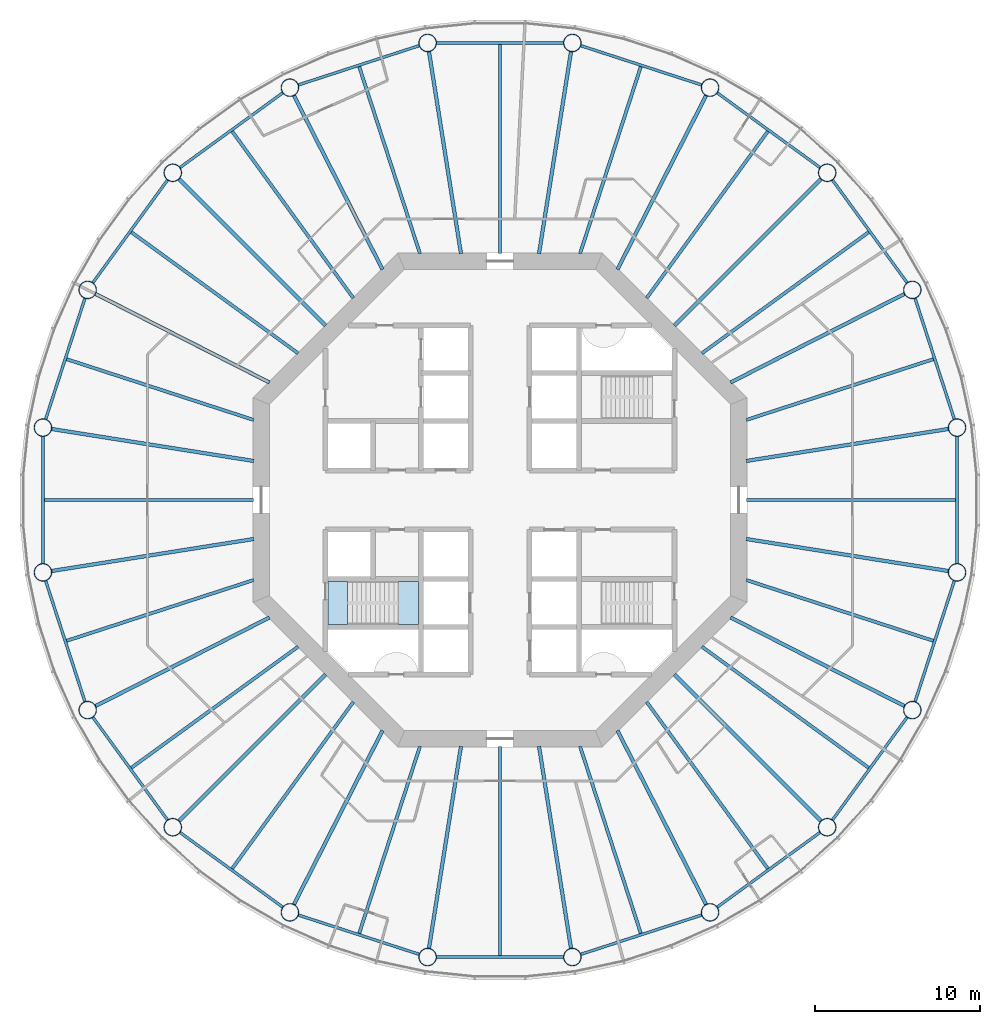
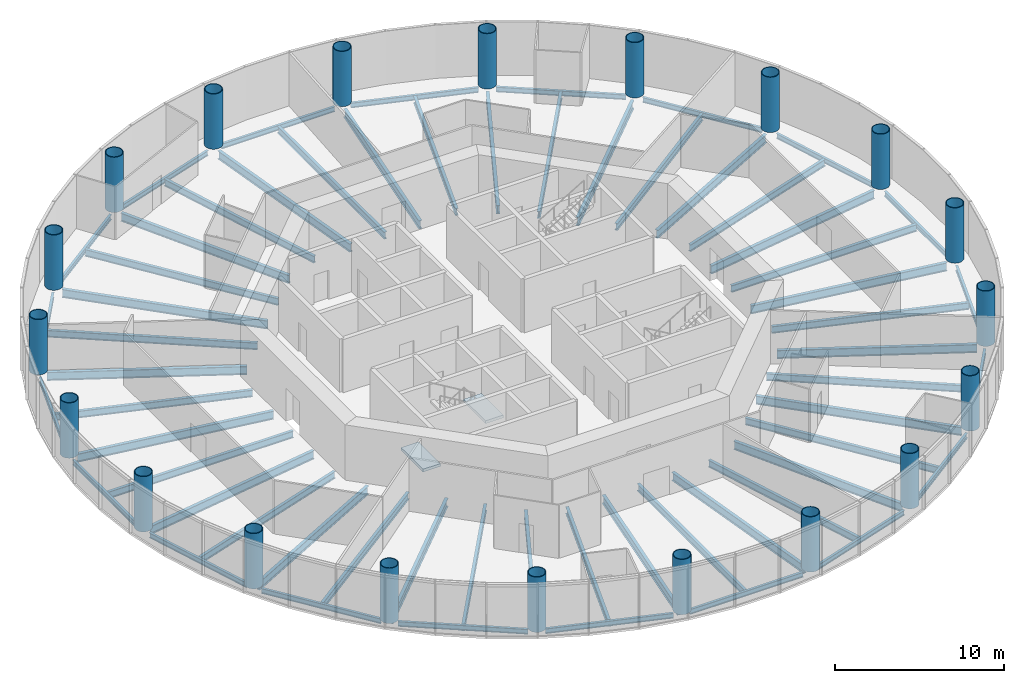
# One storey, part 1 of 13: 60 beams, 20 columns, 2 slabs, 1 element without a shape of its own.
"""IFC4 building model written with IfcOpenShell, lengths in metres."""

from ifc_helpers import new_model, si_unit, direction, frame, origin, origin_2d, place, context, subcontext, project, spatial, polyline, circle, hollow_circle, i_section, outline, extrude, material, layer, layer_set, material_profile, profile_set, type_object, element, aggregate, save


model = new_model("IFC4")

# Units and contexts
model_context = context("Model", 3, precision=1e-05, world=origin(), true_north=direction((0.0, 1.0)))
body_context = subcontext(model_context, "Body", "Model", "MODEL_VIEW")
ifc_project = project(units=[si_unit("LENGTHUNIT", "METRE"), si_unit("AREAUNIT", "SQUARE_METRE"), si_unit("VOLUMEUNIT", "CUBIC_METRE"), si_unit("PLANEANGLEUNIT", "RADIAN"), si_unit("MASSUNIT", "GRAM", prefix="KILO")], contexts=[model_context])

# Site, building, storey
site_placement = place(None, origin())
site = spatial("IfcSite", under=ifc_project, at=site_placement, CompositionType="ELEMENT")
building_placement = place(site_placement, origin())
building = spatial("IfcBuilding", under=site, at=building_placement, Name="Entoto Ring Tower", CompositionType="ELEMENT")
storey_placement = place(building_placement, frame((0.0, 0.0, 172.0)))
storey = spatial("IfcBuildingStorey", under=building, at=storey_placement, Name="L39", CompositionType="ELEMENT", Elevation=172.0)

# Columns
ifc_material_1 = material(Name="Steel S355", Category="steel")
ifc_material_profile_1 = material_profile(ifc_material_1, hollow_circle(Radius=0.550048828125, WallThickness=0.050048828125, at=origin_2d()), Name="CHS 1100 x 50")
ifc_material_2 = material(Name="Concrete C60/75", Category="concrete")
ifc_material_profile_2 = material_profile(ifc_material_2, circle(Radius=0.5, at=origin_2d()), Name="Concrete C60/75 infill")
ifc_profile_set_1 = profile_set([ifc_material_profile_1, ifc_material_profile_2], Name="Steel S355")
column_type = type_object("IfcColumnType", Name="Ring column 1100 x 50 concrete-filled tube", PredefinedType="COLUMN", material=ifc_profile_set_1)
for number, where, z_axis, x_axis, name in (
    (1, (117.754150390625, 84.395751953125, 0.0), (0.0, 0.0, 1.0), (1.0, 0.0, 0.0), "RC3 R01"),
    (2, (115.037353515625, 92.757080078125, 0.0), (0.0, 0.0, 1.0), (1.0, 0.0, 0.0), "RC3 R02"),
    (3, (109.86962890625, 99.86962890625, 0.0), (0.0, 0.0, 1.0), (1.0, 0.0, 0.0), "RC3 R03"),
    (4, (102.757080078125, 105.037353515625, 0.0), (0.0, 0.0, 1.0), (1.0, 0.0, 0.0), "RC3 R04"),
    (5, (94.395751953125, 107.754150390625, 0.0), (0.0, 0.0, 1.0), (1.0, 0.0, 0.0), "RC3 R05"),
    (6, (85.604248046875, 107.754150390625, 0.0), (0.0, 0.0, 1.0), (1.0, 0.0, 0.0), "RC3 R06"),
    (7, (77.242919921875, 105.037353515625, 0.0), (0.0, 0.0, 1.0), (1.0, 0.0, 0.0), "RC3 R07"),
    (8, (70.13037109375, 99.86962890625, 0.0), (0.0, 0.0, 1.0), (1.0, 0.0, 0.0), "RC3 R08"),
    (9, (64.962646484375, 92.757080078125, 0.0), (0.0, 0.0, 1.0), (1.0, 0.0, 0.0), "RC3 R09"),
    (10, (62.245849609375, 84.395751953125, 0.0), (0.0, 0.0, 1.0), (1.0, 0.0, 0.0), "RC3 R10"),
    (11, (62.245849609375, 75.604248046875, 0.0), (0.0, 0.0, 1.0), (1.0, 0.0, 0.0), "RC3 R11"),
    (12, (64.962646484375, 67.242919921875, 0.0), (0.0, 0.0, 1.0), (1.0, 0.0, 0.0), "RC3 R12"),
    (13, (70.13037109375, 60.13037109375, 0.0), (0.0, 0.0, 1.0), (1.0, 0.0, 0.0), "RC3 R13"),
    (14, (77.242919921875, 54.962646484375, 0.0), (0.0, 0.0, 1.0), (1.0, 0.0, 0.0), "RC3 R14"),
    (15, (85.604248046875, 52.245849609375, 0.0), (0.0, 0.0, 1.0), (1.0, 0.0, 0.0), "RC3 R15"),
    (16, (94.395751953125, 52.245849609375, 0.0), (0.0, 0.0, 1.0), (1.0, 0.0, 0.0), "RC3 R16"),
    (17, (102.757080078125, 54.962646484375, 0.0), (0.0, 0.0, 1.0), (1.0, 0.0, 0.0), "RC3 R17"),
    (18, (109.86962890625, 60.13037109375, 0.0), (0.0, 0.0, 1.0), (1.0, 0.0, 0.0), "RC3 R18"),
    (19, (115.037353515625, 67.242919921875, 0.0), (0.0, 0.0, 1.0), (1.0, 0.0, 0.0), "RC3 R19"),
    (20, (117.754150390625, 75.604248046875, 0.0), (0.0, 0.0, 1.0), (1.0, 0.0, 0.0), "RC3 R20"),
):
    element("IfcColumn", number, at=place(storey_placement, frame(where, z_axis=z_axis, x_axis=x_axis)), inside=storey, type_object=column_type, Name=name, PredefinedType="COLUMN", context=body_context, shape_type="SweptSolid", body=[
        extrude(hollow_circle(Radius=0.550048828125, WallThickness=0.050048828125, at=origin_2d()), origin(), (0.0, 0.0, 1.0), 4.0),
    ])

# Beams
ifc_material_3 = material(Name="Steel S355", Category="steel")
ifc_material_profile_3 = material_profile(ifc_material_3, i_section(OverallWidth=0.169921875, OverallDepth=0.360107421875, WebThickness=0.008056640625, FlangeThickness=0.0126953125, FilletRadius=0.01806640625, at=origin_2d()), Name="IPE 360")
ifc_profile_set_2 = profile_set([ifc_material_profile_3], Name="Steel S355")
beam_type_1 = type_object("IfcBeamType", Name="Edge beam IPE 360", PredefinedType="SPANDREL", material=ifc_profile_set_2)
for number, where, z_axis, x_axis, name in (
    (21, (117.59228515625, 84.8935546875, -0.330078125), (-0.309012656105, 0.951057925874, 0.0), (-0.951057925874, -0.309012656105, 0.0), "Edge beam L39 01"),
    (22, (114.729736328125, 93.180419921875, -0.330078125), (-0.587791153253, 0.809012707043, 0.0), (-0.809012707043, -0.587791153253, 0.0), "Edge beam L39 02"),
    (23, (109.4462890625, 100.17724609375, -0.330078125), (-0.809012707043, 0.587791153253, 0.0), (-0.587791153253, -0.809012707043, 0.0), "Edge beam L39 03"),
    (24, (102.259521484375, 105.198974609375, -0.330078125), (-0.951057925874, 0.309012656105, 0.0), (-0.309012656105, -0.951057925874, 0.0), "Edge beam L39 04"),
    (25, (93.87255859375, 107.754150390625, -0.330078125), (-1.0, 0.0, 0.0), (0.0, -1.0, 0.0), "Edge beam L39 05"),
    (26, (85.1064453125, 107.59228515625, -0.330078125), (-0.951057925874, -0.309012656105, 0.0), (0.309012656105, -0.951057925874, 0.0), "Edge beam L39 06"),
    (27, (76.819580078125, 104.729736328125, -0.330078125), (-0.809012707043, -0.587791153253, 0.0), (0.587791153253, -0.809012707043, 0.0), "Edge beam L39 07"),
    (28, (69.82275390625, 99.4462890625, -0.330078125), (-0.587791153253, -0.809012707043, 0.0), (0.809012707043, -0.587791153253, 0.0), "Edge beam L39 08"),
    (29, (64.801025390625, 92.259521484375, -0.330078125), (-0.309012656105, -0.951057925874, 0.0), (0.951057925874, -0.309012656105, 0.0), "Edge beam L39 09"),
    (30, (62.245849609375, 83.87255859375, -0.330078125), (0.0, -1.0, 0.0), (1.0, 0.0, 0.0), "Edge beam L39 10"),
    (31, (62.40771484375, 75.1064453125, -0.330078125), (0.309012656105, -0.951057925874, 0.0), (0.951057925874, 0.309012656105, 0.0), "Edge beam L39 11"),
    (32, (65.270263671875, 66.819580078125, -0.330078125), (0.587791153253, -0.809012707043, 0.0), (0.809012707043, 0.587791153253, 0.0), "Edge beam L39 12"),
    (33, (70.5537109375, 59.82275390625, -0.330078125), (0.809012707043, -0.587791153253, 0.0), (0.587791153253, 0.809012707043, 0.0), "Edge beam L39 13"),
    (34, (77.740478515625, 54.801025390625, -0.330078125), (0.951057925874, -0.309012656105, 0.0), (0.309012656105, 0.951057925874, 0.0), "Edge beam L39 14"),
    (35, (86.12744140625, 52.245849609375, -0.330078125), (1.0, 0.0, 0.0), (0.0, 1.0, 0.0), "Edge beam L39 15"),
    (36, (94.8935546875, 52.40771484375, -0.330078125), (0.951057925874, 0.309012656105, 0.0), (-0.309012656105, 0.951057925874, 0.0), "Edge beam L39 16"),
    (37, (103.180419921875, 55.270263671875, -0.330078125), (0.809012707043, 0.587791153253, 0.0), (-0.587791153253, 0.809012707043, 0.0), "Edge beam L39 17"),
    (38, (110.17724609375, 60.5537109375, -0.330078125), (0.587791153253, 0.809012707043, 0.0), (-0.809012707043, 0.587791153253, 0.0), "Edge beam L39 18"),
    (39, (115.198974609375, 67.740478515625, -0.330078125), (0.309012656105, 0.951057925874, 0.0), (-0.951057925874, 0.309012656105, 0.0), "Edge beam L39 19"),
    (40, (117.754150390625, 76.12744140625, -0.330078125), (0.0, 1.0, 0.0), (-1.0, 0.0, 0.0), "Edge beam L39 20"),
):
    element("IfcBeam", number, at=place(storey_placement, frame(where, z_axis=z_axis, x_axis=x_axis)), inside=storey, type_object=beam_type_1, Name=name, PredefinedType="SPANDREL", context=body_context, shape_type="SweptSolid", body=[
        extrude(i_section(OverallWidth=0.169921875, OverallDepth=0.360107421875, WebThickness=0.008056640625, FlangeThickness=0.0126953125, FilletRadius=0.01806640625, at=origin_2d()), origin(), (0.0, 0.0, 1.0), 7.7451171875),
    ])
ifc_material_4 = material(Name="Steel S355", Category="steel")
ifc_material_profile_4 = material_profile(ifc_material_4, i_section(OverallWidth=0.219970703125, OverallDepth=0.60009765625, WebThickness=0.011962890625, FlangeThickness=0.01904296875, FilletRadius=0.02392578125, at=origin_2d()), Name="IPE 600")
ifc_profile_set_3 = profile_set([ifc_material_profile_4], Name="Steel S355")
beam_type_2 = type_object("IfcBeamType", Name="Primary floor beam IPE 600", PredefinedType="BEAM", material=ifc_profile_set_3)
beam_1_placement = place(storey_placement, frame((104.963134765625, 82.369873046875, -0.449951171875), z_axis=(0.987687213789, 0.156441579247, 0.0), x_axis=(-0.156441579247, 0.987687213789, 0.0)))
element("IfcBeam", 41, at=beam_1_placement, inside=storey, type_object=beam_type_2, Name="Primary L39 R01", PredefinedType="BEAM", context=body_context, shape_type="SweptSolid", body=[
    extrude(i_section(OverallWidth=0.219970703125, OverallDepth=0.60009765625, WebThickness=0.011962890625, FlangeThickness=0.01904296875, FilletRadius=0.02392578125, at=origin_2d()), origin(), (0.0, 0.0, 1.0), 12.431640625),
])
beam_2_placement = place(storey_placement, frame((104.003173828125, 87.135009765625, -0.449951171875), z_axis=(0.891010444609, 0.453982805399, 0.0), x_axis=(-0.453982805399, 0.891010444609, 0.0)))
element("IfcBeam", 42, at=beam_2_placement, inside=storey, type_object=beam_type_2, Name="Primary L39 R02", PredefinedType="BEAM", context=body_context, shape_type="SweptSolid", body=[
    extrude(i_section(OverallWidth=0.219970703125, OverallDepth=0.60009765625, WebThickness=0.011962890625, FlangeThickness=0.01904296875, FilletRadius=0.02392578125, at=origin_2d()), origin(), (0.0, 0.0, 1.0), 11.864990234375),
])
beam_3_placement = place(storey_placement, frame((100.592529296875, 90.592529296875, -0.449951171875), z_axis=(0.707106781187, 0.707106781187, 0.0), x_axis=(-0.707106781187, 0.707106781187, 0.0)))
element("IfcBeam", 43, at=beam_3_placement, inside=storey, type_object=beam_type_2, Name="Primary L39 R03", PredefinedType="BEAM", context=body_context, shape_type="SweptSolid", body=[
    extrude(i_section(OverallWidth=0.219970703125, OverallDepth=0.60009765625, WebThickness=0.011962890625, FlangeThickness=0.01904296875, FilletRadius=0.02392578125, at=origin_2d()), origin(), (0.0, 0.0, 1.0), 12.601318359375),
])
beam_4_placement = place(storey_placement, frame((97.135009765625, 94.003173828125, -0.449951171875), z_axis=(0.453982805399, 0.891010444609, 0.0), x_axis=(-0.891010444609, 0.453982805399, 0.0)))
element("IfcBeam", 44, at=beam_4_placement, inside=storey, type_object=beam_type_2, Name="Primary L39 R04", PredefinedType="BEAM", context=body_context, shape_type="SweptSolid", body=[
    extrude(i_section(OverallWidth=0.219970703125, OverallDepth=0.60009765625, WebThickness=0.011962890625, FlangeThickness=0.01904296875, FilletRadius=0.02392578125, at=origin_2d()), origin(), (0.0, 0.0, 1.0), 11.864990234375),
])
for number, where, z_axis, x_axis, name in (
    (45, (92.369873046875, 94.963134765625, -0.449951171875), (0.156441579247, 0.987687213789, 0.0), (-0.987687213789, 0.156441579247, 0.0), "Primary L39 R05"),
    (46, (87.630126953125, 94.963134765625, -0.449951171875), (-0.156441579247, 0.987687213789, 0.0), (-0.987687213789, -0.156441579247, 0.0), "Primary L39 R06"),
):
    element("IfcBeam", number, at=place(storey_placement, frame(where, z_axis=z_axis, x_axis=x_axis)), inside=storey, type_object=beam_type_2, Name=name, PredefinedType="BEAM", context=body_context, shape_type="SweptSolid", body=[
        extrude(i_section(OverallWidth=0.219970703125, OverallDepth=0.60009765625, WebThickness=0.011962890625, FlangeThickness=0.01904296875, FilletRadius=0.02392578125, at=origin_2d()), origin(), (0.0, 0.0, 1.0), 12.431640625),
    ])
beam_5_placement = place(storey_placement, frame((82.864990234375, 94.003173828125, -0.449951171875), z_axis=(-0.453982805399, 0.891010444609, 0.0), x_axis=(-0.891010444609, -0.453982805399, 0.0)))
element("IfcBeam", 47, at=beam_5_placement, inside=storey, type_object=beam_type_2, Name="Primary L39 R07", PredefinedType="BEAM", context=body_context, shape_type="SweptSolid", body=[
    extrude(i_section(OverallWidth=0.219970703125, OverallDepth=0.60009765625, WebThickness=0.011962890625, FlangeThickness=0.01904296875, FilletRadius=0.02392578125, at=origin_2d()), origin(), (0.0, 0.0, 1.0), 11.864990234375),
])
beam_6_placement = place(storey_placement, frame((79.407470703125, 90.592529296875, -0.449951171875), z_axis=(-0.707106781187, 0.707106781187, 0.0), x_axis=(-0.707106781187, -0.707106781187, 0.0)))
element("IfcBeam", 48, at=beam_6_placement, inside=storey, type_object=beam_type_2, Name="Primary L39 R08", PredefinedType="BEAM", context=body_context, shape_type="SweptSolid", body=[
    extrude(i_section(OverallWidth=0.219970703125, OverallDepth=0.60009765625, WebThickness=0.011962890625, FlangeThickness=0.01904296875, FilletRadius=0.02392578125, at=origin_2d()), origin(), (0.0, 0.0, 1.0), 12.601318359375),
])
beam_7_placement = place(storey_placement, frame((75.996826171875, 87.135009765625, -0.449951171875), z_axis=(-0.891010444609, 0.453982805399, 0.0), x_axis=(-0.453982805399, -0.891010444609, 0.0)))
element("IfcBeam", 49, at=beam_7_placement, inside=storey, type_object=beam_type_2, Name="Primary L39 R09", PredefinedType="BEAM", context=body_context, shape_type="SweptSolid", body=[
    extrude(i_section(OverallWidth=0.219970703125, OverallDepth=0.60009765625, WebThickness=0.011962890625, FlangeThickness=0.01904296875, FilletRadius=0.02392578125, at=origin_2d()), origin(), (0.0, 0.0, 1.0), 11.864990234375),
])
for number, where, z_axis, x_axis, name in (
    (50, (75.036865234375, 82.369873046875, -0.449951171875), (-0.987687213789, 0.156441579247, 0.0), (-0.156441579247, -0.987687213789, 0.0), "Primary L39 R10"),
    (51, (75.036865234375, 77.630126953125, -0.449951171875), (-0.987687213789, -0.156441579247, 0.0), (0.156441579247, -0.987687213789, 0.0), "Primary L39 R11"),
):
    element("IfcBeam", number, at=place(storey_placement, frame(where, z_axis=z_axis, x_axis=x_axis)), inside=storey, type_object=beam_type_2, Name=name, PredefinedType="BEAM", context=body_context, shape_type="SweptSolid", body=[
        extrude(i_section(OverallWidth=0.219970703125, OverallDepth=0.60009765625, WebThickness=0.011962890625, FlangeThickness=0.01904296875, FilletRadius=0.02392578125, at=origin_2d()), origin(), (0.0, 0.0, 1.0), 12.431640625),
    ])
beam_8_placement = place(storey_placement, frame((75.996826171875, 72.864990234375, -0.449951171875), z_axis=(-0.891010444609, -0.453982805399, 0.0), x_axis=(0.453982805399, -0.891010444609, 0.0)))
element("IfcBeam", 52, at=beam_8_placement, inside=storey, type_object=beam_type_2, Name="Primary L39 R12", PredefinedType="BEAM", context=body_context, shape_type="SweptSolid", body=[
    extrude(i_section(OverallWidth=0.219970703125, OverallDepth=0.60009765625, WebThickness=0.011962890625, FlangeThickness=0.01904296875, FilletRadius=0.02392578125, at=origin_2d()), origin(), (0.0, 0.0, 1.0), 11.864990234375),
])
beam_9_placement = place(storey_placement, frame((79.407470703125, 69.407470703125, -0.449951171875), z_axis=(-0.707106781187, -0.707106781187, 0.0), x_axis=(0.707106781187, -0.707106781187, 0.0)))
element("IfcBeam", 53, at=beam_9_placement, inside=storey, type_object=beam_type_2, Name="Primary L39 R13", PredefinedType="BEAM", context=body_context, shape_type="SweptSolid", body=[
    extrude(i_section(OverallWidth=0.219970703125, OverallDepth=0.60009765625, WebThickness=0.011962890625, FlangeThickness=0.01904296875, FilletRadius=0.02392578125, at=origin_2d()), origin(), (0.0, 0.0, 1.0), 12.601318359375),
])
beam_10_placement = place(storey_placement, frame((82.864990234375, 65.996826171875, -0.449951171875), z_axis=(-0.453982805399, -0.891010444609, 0.0), x_axis=(0.891010444609, -0.453982805399, 0.0)))
element("IfcBeam", 54, at=beam_10_placement, inside=storey, type_object=beam_type_2, Name="Primary L39 R14", PredefinedType="BEAM", context=body_context, shape_type="SweptSolid", body=[
    extrude(i_section(OverallWidth=0.219970703125, OverallDepth=0.60009765625, WebThickness=0.011962890625, FlangeThickness=0.01904296875, FilletRadius=0.02392578125, at=origin_2d()), origin(), (0.0, 0.0, 1.0), 11.864990234375),
])
for number, where, z_axis, x_axis, name in (
    (55, (87.630126953125, 65.036865234375, -0.449951171875), (-0.156441579247, -0.987687213789, 0.0), (0.987687213789, -0.156441579247, 0.0), "Primary L39 R15"),
    (56, (92.369873046875, 65.036865234375, -0.449951171875), (0.156441579247, -0.987687213789, 0.0), (0.987687213789, 0.156441579247, 0.0), "Primary L39 R16"),
):
    element("IfcBeam", number, at=place(storey_placement, frame(where, z_axis=z_axis, x_axis=x_axis)), inside=storey, type_object=beam_type_2, Name=name, PredefinedType="BEAM", context=body_context, shape_type="SweptSolid", body=[
        extrude(i_section(OverallWidth=0.219970703125, OverallDepth=0.60009765625, WebThickness=0.011962890625, FlangeThickness=0.01904296875, FilletRadius=0.02392578125, at=origin_2d()), origin(), (0.0, 0.0, 1.0), 12.431640625),
    ])
beam_11_placement = place(storey_placement, frame((97.135009765625, 65.996826171875, -0.449951171875), z_axis=(0.453982805399, -0.891010444609, 0.0), x_axis=(0.891010444609, 0.453982805399, 0.0)))
element("IfcBeam", 57, at=beam_11_placement, inside=storey, type_object=beam_type_2, Name="Primary L39 R17", PredefinedType="BEAM", context=body_context, shape_type="SweptSolid", body=[
    extrude(i_section(OverallWidth=0.219970703125, OverallDepth=0.60009765625, WebThickness=0.011962890625, FlangeThickness=0.01904296875, FilletRadius=0.02392578125, at=origin_2d()), origin(), (0.0, 0.0, 1.0), 11.864990234375),
])
beam_12_placement = place(storey_placement, frame((100.592529296875, 69.407470703125, -0.449951171875), z_axis=(0.707106781187, -0.707106781187, 0.0), x_axis=(0.707106781187, 0.707106781187, 0.0)))
element("IfcBeam", 58, at=beam_12_placement, inside=storey, type_object=beam_type_2, Name="Primary L39 R18", PredefinedType="BEAM", context=body_context, shape_type="SweptSolid", body=[
    extrude(i_section(OverallWidth=0.219970703125, OverallDepth=0.60009765625, WebThickness=0.011962890625, FlangeThickness=0.01904296875, FilletRadius=0.02392578125, at=origin_2d()), origin(), (0.0, 0.0, 1.0), 12.601318359375),
])
beam_13_placement = place(storey_placement, frame((104.003173828125, 72.864990234375, -0.449951171875), z_axis=(0.891010444609, -0.453982805399, 0.0), x_axis=(0.453982805399, 0.891010444609, 0.0)))
element("IfcBeam", 59, at=beam_13_placement, inside=storey, type_object=beam_type_2, Name="Primary L39 R19", PredefinedType="BEAM", context=body_context, shape_type="SweptSolid", body=[
    extrude(i_section(OverallWidth=0.219970703125, OverallDepth=0.60009765625, WebThickness=0.011962890625, FlangeThickness=0.01904296875, FilletRadius=0.02392578125, at=origin_2d()), origin(), (0.0, 0.0, 1.0), 11.864990234375),
])
beam_14_placement = place(storey_placement, frame((104.963134765625, 77.630126953125, -0.449951171875), z_axis=(0.987687213789, -0.156441579247, 0.0), x_axis=(0.156441579247, 0.987687213789, 0.0)))
element("IfcBeam", 60, at=beam_14_placement, inside=storey, type_object=beam_type_2, Name="Primary L39 R20", PredefinedType="BEAM", context=body_context, shape_type="SweptSolid", body=[
    extrude(i_section(OverallWidth=0.219970703125, OverallDepth=0.60009765625, WebThickness=0.011962890625, FlangeThickness=0.01904296875, FilletRadius=0.02392578125, at=origin_2d()), origin(), (0.0, 0.0, 1.0), 12.431640625),
])
ifc_material_5 = material(Name="Steel S355", Category="steel")
ifc_material_profile_5 = material_profile(ifc_material_5, i_section(OverallWidth=0.199951171875, OverallDepth=0.5, WebThickness=0.01025390625, FlangeThickness=0.01611328125, FilletRadius=0.02099609375, at=origin_2d()), Name="IPE 500")
ifc_profile_set_4 = profile_set([ifc_material_profile_5], Name="Steel S355")
beam_type_3 = type_object("IfcBeamType", Name="Secondary floor beam IPE 500", PredefinedType="JOIST", material=ifc_profile_set_4)
beam_15_placement = place(storey_placement, frame((104.9501953125, 84.857666015625, -0.39990234375), z_axis=(0.951056587506, 0.30901677521, 0.0), x_axis=(-0.30901677521, 0.951056587506, 0.0)))
element("IfcBeam", 61, at=beam_15_placement, inside=storey, type_object=beam_type_3, Name="Secondary beam L39 01", PredefinedType="JOIST", context=body_context, shape_type="SweptSolid", body=[
    extrude(i_section(OverallWidth=0.199951171875, OverallDepth=0.5, WebThickness=0.01025390625, FlangeThickness=0.01611328125, FilletRadius=0.02099609375, at=origin_2d()), origin(), (0.0, 0.0, 1.0), 11.94970703125),
])
for number, where, z_axis, x_axis, name in (
    (62, (102.257568359375, 88.905517578125, -0.39990234375), (0.80901431041, 0.587788946436, 0.0), (-0.587788946436, 0.80901431041, 0.0), "Secondary beam L39 02"),
    (63, (98.905517578125, 92.257568359375, -0.39990234375), (0.587788946436, 0.80901431041, 0.0), (-0.80901431041, 0.587788946436, 0.0), "Secondary beam L39 03"),
):
    element("IfcBeam", number, at=place(storey_placement, frame(where, z_axis=z_axis, x_axis=x_axis)), inside=storey, type_object=beam_type_3, Name=name, PredefinedType="JOIST", context=body_context, shape_type="SweptSolid", body=[
        extrude(i_section(OverallWidth=0.199951171875, OverallDepth=0.5, WebThickness=0.01025390625, FlangeThickness=0.01611328125, FilletRadius=0.02099609375, at=origin_2d()), origin(), (0.0, 0.0, 1.0), 12.51806640625),
    ])
beam_16_placement = place(storey_placement, frame((94.857666015625, 94.9501953125, -0.39990234375), z_axis=(0.30901677521, 0.951056587506, 0.0), x_axis=(-0.951056587506, 0.30901677521, 0.0)))
element("IfcBeam", 64, at=beam_16_placement, inside=storey, type_object=beam_type_3, Name="Secondary beam L39 04", PredefinedType="JOIST", context=body_context, shape_type="SweptSolid", body=[
    extrude(i_section(OverallWidth=0.199951171875, OverallDepth=0.5, WebThickness=0.01025390625, FlangeThickness=0.01611328125, FilletRadius=0.02099609375, at=origin_2d()), origin(), (0.0, 0.0, 1.0), 11.94970703125),
])
beam_17_placement = place(storey_placement, frame((90.0, 94.97998046875, -0.39990234375), z_axis=(0.0, 1.0, 0.0), x_axis=(-1.0, 0.0, 0.0)))
element("IfcBeam", 65, at=beam_17_placement, inside=storey, type_object=beam_type_3, Name="Secondary beam L39 05", PredefinedType="JOIST", context=body_context, shape_type="SweptSolid", body=[
    extrude(i_section(OverallWidth=0.199951171875, OverallDepth=0.5, WebThickness=0.01025390625, FlangeThickness=0.01611328125, FilletRadius=0.02099609375, at=origin_2d()), origin(), (0.0, 0.0, 1.0), 12.68896484375),
])
beam_18_placement = place(storey_placement, frame((85.142333984375, 94.9501953125, -0.39990234375), z_axis=(-0.30901677521, 0.951056587506, 0.0), x_axis=(-0.951056587506, -0.30901677521, 0.0)))
element("IfcBeam", 66, at=beam_18_placement, inside=storey, type_object=beam_type_3, Name="Secondary beam L39 06", PredefinedType="JOIST", context=body_context, shape_type="SweptSolid", body=[
    extrude(i_section(OverallWidth=0.199951171875, OverallDepth=0.5, WebThickness=0.01025390625, FlangeThickness=0.01611328125, FilletRadius=0.02099609375, at=origin_2d()), origin(), (0.0, 0.0, 1.0), 11.94970703125),
])
for number, where, z_axis, x_axis, name in (
    (67, (81.094482421875, 92.257568359375, -0.39990234375), (-0.587788946436, 0.80901431041, 0.0), (-0.80901431041, -0.587788946436, 0.0), "Secondary beam L39 07"),
    (68, (77.742431640625, 88.905517578125, -0.39990234375), (-0.80901431041, 0.587788946436, 0.0), (-0.587788946436, -0.80901431041, 0.0), "Secondary beam L39 08"),
):
    element("IfcBeam", number, at=place(storey_placement, frame(where, z_axis=z_axis, x_axis=x_axis)), inside=storey, type_object=beam_type_3, Name=name, PredefinedType="JOIST", context=body_context, shape_type="SweptSolid", body=[
        extrude(i_section(OverallWidth=0.199951171875, OverallDepth=0.5, WebThickness=0.01025390625, FlangeThickness=0.01611328125, FilletRadius=0.02099609375, at=origin_2d()), origin(), (0.0, 0.0, 1.0), 12.51806640625),
    ])
beam_19_placement = place(storey_placement, frame((75.0498046875, 84.857666015625, -0.39990234375), z_axis=(-0.951056587506, 0.30901677521, 0.0), x_axis=(-0.30901677521, -0.951056587506, 0.0)))
element("IfcBeam", 69, at=beam_19_placement, inside=storey, type_object=beam_type_3, Name="Secondary beam L39 09", PredefinedType="JOIST", context=body_context, shape_type="SweptSolid", body=[
    extrude(i_section(OverallWidth=0.199951171875, OverallDepth=0.5, WebThickness=0.01025390625, FlangeThickness=0.01611328125, FilletRadius=0.02099609375, at=origin_2d()), origin(), (0.0, 0.0, 1.0), 11.94970703125),
])
beam_20_placement = place(storey_placement, frame((75.02001953125, 80.0, -0.39990234375), z_axis=(-1.0, 0.0, 0.0), x_axis=(0.0, -1.0, 0.0)))
element("IfcBeam", 70, at=beam_20_placement, inside=storey, type_object=beam_type_3, Name="Secondary beam L39 10", PredefinedType="JOIST", context=body_context, shape_type="SweptSolid", body=[
    extrude(i_section(OverallWidth=0.199951171875, OverallDepth=0.5, WebThickness=0.01025390625, FlangeThickness=0.01611328125, FilletRadius=0.02099609375, at=origin_2d()), origin(), (0.0, 0.0, 1.0), 12.68896484375),
])
beam_21_placement = place(storey_placement, frame((75.0498046875, 75.142333984375, -0.39990234375), z_axis=(-0.951056587506, -0.30901677521, 0.0), x_axis=(0.30901677521, -0.951056587506, 0.0)))
element("IfcBeam", 71, at=beam_21_placement, inside=storey, type_object=beam_type_3, Name="Secondary beam L39 11", PredefinedType="JOIST", context=body_context, shape_type="SweptSolid", body=[
    extrude(i_section(OverallWidth=0.199951171875, OverallDepth=0.5, WebThickness=0.01025390625, FlangeThickness=0.01611328125, FilletRadius=0.02099609375, at=origin_2d()), origin(), (0.0, 0.0, 1.0), 11.94970703125),
])
for number, where, z_axis, x_axis, name in (
    (72, (77.742431640625, 71.094482421875, -0.39990234375), (-0.80901431041, -0.587788946436, 0.0), (0.587788946436, -0.80901431041, 0.0), "Secondary beam L39 12"),
    (73, (81.094482421875, 67.742431640625, -0.39990234375), (-0.587788946436, -0.80901431041, 0.0), (0.80901431041, -0.587788946436, 0.0), "Secondary beam L39 13"),
):
    element("IfcBeam", number, at=place(storey_placement, frame(where, z_axis=z_axis, x_axis=x_axis)), inside=storey, type_object=beam_type_3, Name=name, PredefinedType="JOIST", context=body_context, shape_type="SweptSolid", body=[
        extrude(i_section(OverallWidth=0.199951171875, OverallDepth=0.5, WebThickness=0.01025390625, FlangeThickness=0.01611328125, FilletRadius=0.02099609375, at=origin_2d()), origin(), (0.0, 0.0, 1.0), 12.51806640625),
    ])
beam_22_placement = place(storey_placement, frame((85.142333984375, 65.0498046875, -0.39990234375), z_axis=(-0.30901677521, -0.951056587506, 0.0), x_axis=(0.951056587506, -0.30901677521, 0.0)))
element("IfcBeam", 74, at=beam_22_placement, inside=storey, type_object=beam_type_3, Name="Secondary beam L39 14", PredefinedType="JOIST", context=body_context, shape_type="SweptSolid", body=[
    extrude(i_section(OverallWidth=0.199951171875, OverallDepth=0.5, WebThickness=0.01025390625, FlangeThickness=0.01611328125, FilletRadius=0.02099609375, at=origin_2d()), origin(), (0.0, 0.0, 1.0), 11.94970703125),
])
beam_23_placement = place(storey_placement, frame((90.0, 65.02001953125, -0.39990234375), z_axis=(0.0, -1.0, 0.0), x_axis=(1.0, 0.0, 0.0)))
element("IfcBeam", 75, at=beam_23_placement, inside=storey, type_object=beam_type_3, Name="Secondary beam L39 15", PredefinedType="JOIST", context=body_context, shape_type="SweptSolid", body=[
    extrude(i_section(OverallWidth=0.199951171875, OverallDepth=0.5, WebThickness=0.01025390625, FlangeThickness=0.01611328125, FilletRadius=0.02099609375, at=origin_2d()), origin(), (0.0, 0.0, 1.0), 12.68896484375),
])
beam_24_placement = place(storey_placement, frame((94.857666015625, 65.0498046875, -0.39990234375), z_axis=(0.30901677521, -0.951056587506, 0.0), x_axis=(0.951056587506, 0.30901677521, 0.0)))
element("IfcBeam", 76, at=beam_24_placement, inside=storey, type_object=beam_type_3, Name="Secondary beam L39 16", PredefinedType="JOIST", context=body_context, shape_type="SweptSolid", body=[
    extrude(i_section(OverallWidth=0.199951171875, OverallDepth=0.5, WebThickness=0.01025390625, FlangeThickness=0.01611328125, FilletRadius=0.02099609375, at=origin_2d()), origin(), (0.0, 0.0, 1.0), 11.94970703125),
])
for number, where, z_axis, x_axis, name in (
    (77, (98.905517578125, 67.742431640625, -0.39990234375), (0.587788946436, -0.80901431041, 0.0), (0.80901431041, 0.587788946436, 0.0), "Secondary beam L39 17"),
    (78, (102.257568359375, 71.094482421875, -0.39990234375), (0.80901431041, -0.587788946436, 0.0), (0.587788946436, 0.80901431041, 0.0), "Secondary beam L39 18"),
):
    element("IfcBeam", number, at=place(storey_placement, frame(where, z_axis=z_axis, x_axis=x_axis)), inside=storey, type_object=beam_type_3, Name=name, PredefinedType="JOIST", context=body_context, shape_type="SweptSolid", body=[
        extrude(i_section(OverallWidth=0.199951171875, OverallDepth=0.5, WebThickness=0.01025390625, FlangeThickness=0.01611328125, FilletRadius=0.02099609375, at=origin_2d()), origin(), (0.0, 0.0, 1.0), 12.51806640625),
    ])
beam_25_placement = place(storey_placement, frame((104.9501953125, 75.142333984375, -0.39990234375), z_axis=(0.951056587506, -0.30901677521, 0.0), x_axis=(0.30901677521, 0.951056587506, 0.0)))
element("IfcBeam", 79, at=beam_25_placement, inside=storey, type_object=beam_type_3, Name="Secondary beam L39 19", PredefinedType="JOIST", context=body_context, shape_type="SweptSolid", body=[
    extrude(i_section(OverallWidth=0.199951171875, OverallDepth=0.5, WebThickness=0.01025390625, FlangeThickness=0.01611328125, FilletRadius=0.02099609375, at=origin_2d()), origin(), (0.0, 0.0, 1.0), 11.94970703125),
])
beam_26_placement = place(storey_placement, frame((104.97998046875, 80.0, -0.39990234375), z_axis=(1.0, 0.0, 0.0), x_axis=(0.0, 1.0, 0.0)))
element("IfcBeam", 80, at=beam_26_placement, inside=storey, type_object=beam_type_3, Name="Secondary beam L39 20", PredefinedType="JOIST", context=body_context, shape_type="SweptSolid", body=[
    extrude(i_section(OverallWidth=0.199951171875, OverallDepth=0.5, WebThickness=0.01025390625, FlangeThickness=0.01611328125, FilletRadius=0.02099609375, at=origin_2d()), origin(), (0.0, 0.0, 1.0), 12.68896484375),
])

# Stair, slabs
ifc_material_6 = material(Name="Concrete C40/50", Category="concrete")
stair_type = type_object("IfcStairType", Name="Exit stair 1200 mm dog-leg reinforced concrete", PredefinedType="HALF_TURN_STAIR", material=ifc_material_6)
stair_placement = place(storey_placement, origin())
stair = element("IfcStair", 81, at=stair_placement, inside=storey, type_object=stair_type, Name="Exit stair 2", PredefinedType="HALF_TURN_STAIR")
ifc_material_7 = material(Name="Concrete C40/50", Category="concrete")
ifc_layer = layer(ifc_material_7, 0.199951171875)
ifc_layer_set = layer_set([ifc_layer], Name="Concrete C40/50")
slab_type = type_object("IfcSlabType", Name="Stair landing 200 mm reinforced concrete", PredefinedType="LANDING", material=ifc_layer_set)
slab_1_placement = place(storey_placement, frame((0.0, 0.0, -0.199951171875)))
slab_1 = element("IfcSlab", 82, at=slab_1_placement, type_object=slab_type, Name="ST2 landing 1", PredefinedType="LANDING", context=body_context, shape_type="SweptSolid", body=[
    extrude(outline(polyline([(80.75, 72.449951171875), (80.75, 75.050048828125), (79.550048828125, 75.050048828125), (79.550048828125, 72.449951171875), (80.75, 72.449951171875)])), origin(), (0.0, 0.0, 1.0), 0.199951171875),
])
slab_2_placement = place(storey_placement, frame((0.0, 0.0, 1.800048828125)))
slab_2 = element("IfcSlab", 83, at=slab_2_placement, type_object=slab_type, Name="ST2 landing 2", PredefinedType="LANDING", context=body_context, shape_type="SweptSolid", body=[
    extrude(outline(polyline([(83.830078125, 72.449951171875), (85.050048828125, 72.449951171875), (85.050048828125, 75.050048828125), (83.830078125, 75.050048828125), (83.830078125, 72.449951171875)])), origin(), (0.0, 0.0, 1.0), 0.199951171875),
])
aggregate(stair, [slab_1, slab_2])

save(model, "model.ifc")
